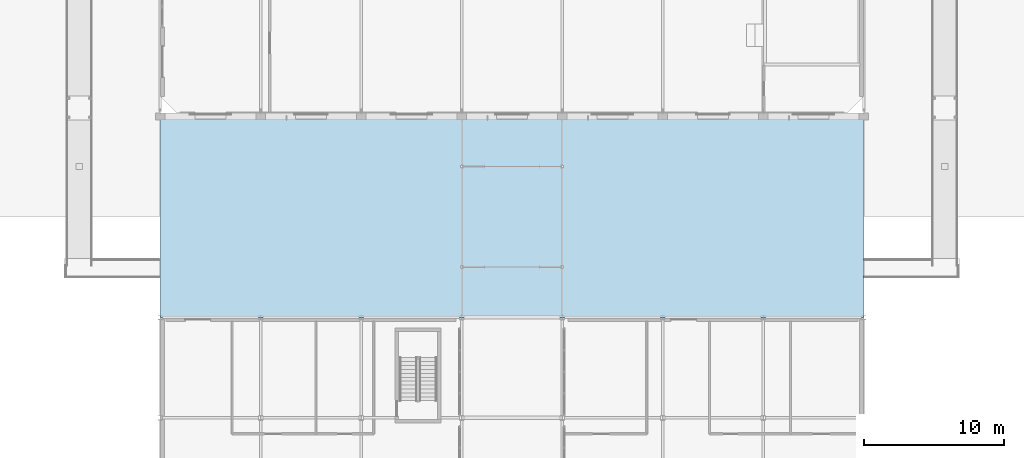
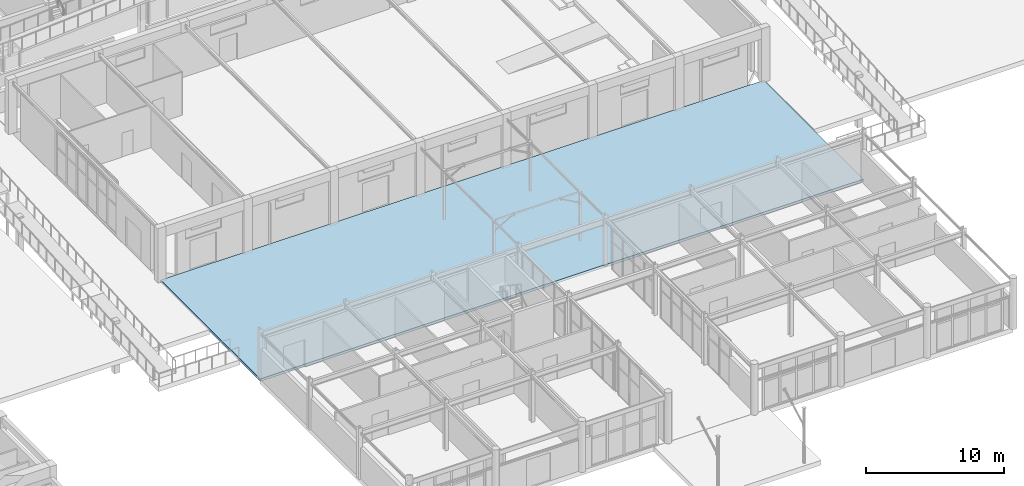
# One storey, part 36 of 85: 1 slab.
"""IFC4 building model written with IfcOpenShell, lengths in metres."""

from ifc_helpers import new_model, si_unit, direction, frame, origin, place, context, subcontext, project, spatial, polyline, outline, extrude, material, layer, layer_set, type_object, element, save


model = new_model("IFC4")

# Units and contexts
model_context = context("Model", 3, precision=1e-05, world=origin(), true_north=direction((0.0, 1.0)))
body_context = subcontext(model_context, "Body", "Model", "MODEL_VIEW")
ifc_project = project(units=[si_unit("LENGTHUNIT", "METRE"), si_unit("AREAUNIT", "SQUARE_METRE"), si_unit("VOLUMEUNIT", "CUBIC_METRE"), si_unit("PLANEANGLEUNIT", "RADIAN"), si_unit("MASSUNIT", "GRAM", prefix="KILO")], contexts=[model_context])

# Site, building, storey
site_placement = place(None, origin())
site = spatial("IfcSite", under=ifc_project, at=site_placement, CompositionType="ELEMENT")
building_placement = place(site_placement, origin())
building = spatial("IfcBuilding", under=site, at=building_placement, Name="Ochrevale Crest", CompositionType="ELEMENT")
storey_placement = place(building_placement, origin())
storey = spatial("IfcBuildingStorey", under=building, at=storey_placement, Name="L00", CompositionType="ELEMENT", Elevation=0.0)

# Slab
ifc_material = material(Name="Concrete C40/50", Category="concrete")
ifc_layer = layer(ifc_material, 0.22509765625)
ifc_layer_set = layer_set([ifc_layer], Name="Concrete C40/50")
slab_type = type_object("IfcSlabType", Name="SLB-TER-225", PredefinedType="FLOOR", material=ifc_layer_set)
slab_placement = place(storey_placement, frame((0.0, 0.0, -0.22509765625)))
element("IfcSlab", 1, at=slab_placement, inside=storey, type_object=slab_type, Name="Lower boulevard courtyard plaza terrace Step 1", PredefinedType="FLOOR", context=body_context, shape_type="SweptSolid", body=[
    extrude(outline(polyline([(57.625, 28.800048828125), (107.97509765625, 28.800048828125), (107.97509765625, 43.199951171875), (57.625, 43.199951171875), (57.625, 28.800048828125)])), origin(), (0.0, 0.0, 1.0), 0.22509765625),
])

save(model, "model.ifc")
